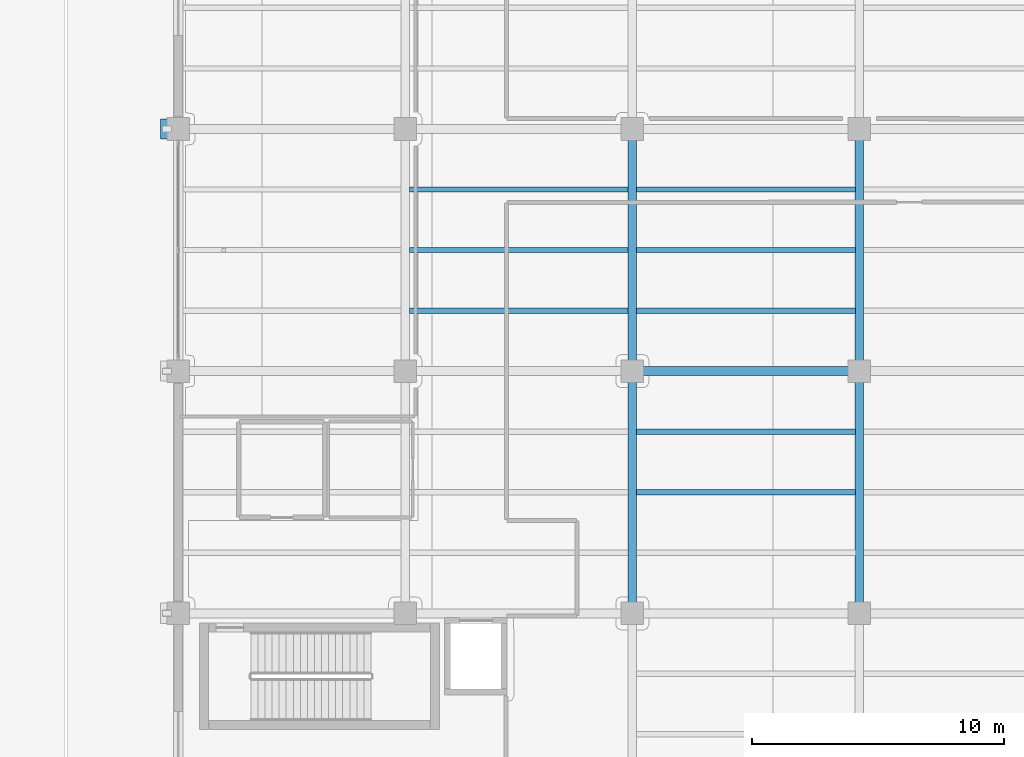
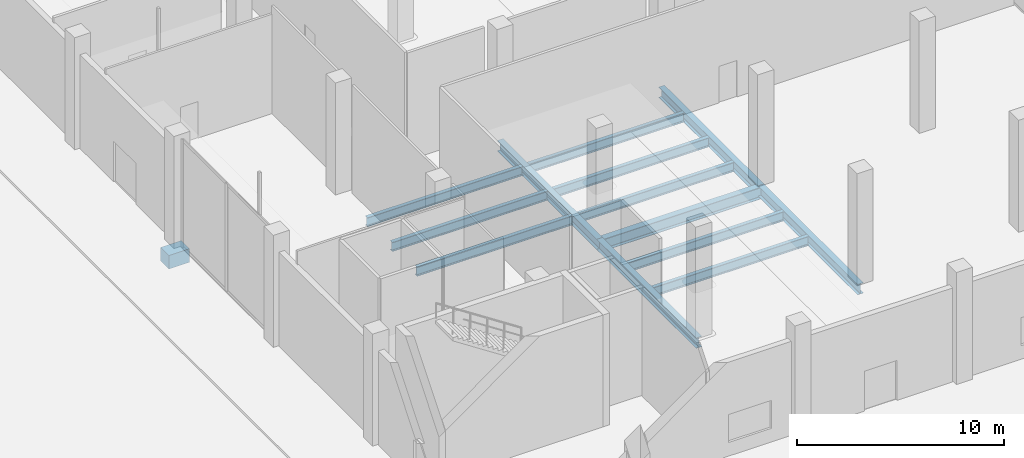
# One storey, part 6 of 45: 14 beams.
"""IFC4 building model written with IfcOpenShell, lengths in metres."""

from ifc_helpers import new_model, si_unit, direction, frame, origin, origin_2d, place, context, subcontext, project, spatial, rectangle, i_section, extrude, material, material_profile, profile_set, type_object, element, save


model = new_model("IFC4")

# Units and contexts
model_context = context("Model", 3, precision=1e-05, world=origin(), true_north=direction((0.0, 1.0)))
body_context = subcontext(model_context, "Body", "Model", "MODEL_VIEW")
ifc_project = project(units=[si_unit("LENGTHUNIT", "METRE"), si_unit("AREAUNIT", "SQUARE_METRE"), si_unit("VOLUMEUNIT", "CUBIC_METRE"), si_unit("PLANEANGLEUNIT", "RADIAN"), si_unit("MASSUNIT", "GRAM", prefix="KILO")], contexts=[model_context])

# Site, building, storey
site_placement = place(None, origin())
site = spatial("IfcSite", under=ifc_project, at=site_placement, CompositionType="ELEMENT")
building_placement = place(site_placement, origin())
building = spatial("IfcBuilding", under=site, at=building_placement, Name="Qorvath Tower", CompositionType="ELEMENT")
storey_placement = place(building_placement, origin())
storey = spatial("IfcBuildingStorey", under=building, at=storey_placement, Name="L00", CompositionType="ELEMENT", Elevation=0.0)

# Beams
ifc_material_1 = material(Name="Concrete C50/60", Category="concrete")
ifc_material_profile_1 = material_profile(ifc_material_1, rectangle(XDim=0.800048828125, YDim=0.800048828125, at=origin_2d()), Name="RC 800x800")
ifc_profile_set_1 = profile_set([ifc_material_profile_1], Name="Concrete C50/60")
beam_type_1 = type_object("IfcBeamType", Name="BM-CRB1", PredefinedType="BEAM", material=ifc_profile_set_1)
beam_1_placement = place(storey_placement, frame((32.85009765625, -9.60009765625, -0.75), z_axis=(-1.0, 0.0, 0.0), x_axis=(0.0, -1.0, 0.0)))
element("IfcBeam", 1, at=beam_1_placement, inside=storey, type_object=beam_type_1, Name="MJ-1 RC Bearing Corbel Bracket 04", PredefinedType="BEAM", context=body_context, shape_type="SweptSolid", body=[
    extrude(rectangle(XDim=0.800048828125, YDim=0.800048828125, at=origin_2d()), origin(), (0.0, 0.0, 1.0), 1.150146484375),
])
ifc_material_2 = material(Name="Steel ASTM A992 Grade 50", Category="steel")
ifc_material_profile_2 = material_profile(ifc_material_2, i_section(OverallWidth=0.35595703125, OverallDepth=0.696044921875, WebThickness=0.015380859375, FlangeThickness=0.02490234375, FilletRadius=0.01806640625, at=origin_2d()), Name="W27x146")
ifc_profile_set_2 = profile_set([ifc_material_profile_2], Name="Steel ASTM A992 Grade 50")
beam_type_2 = type_object("IfcBeamType", Name="BM-FG4", PredefinedType="BEAM", material=ifc_profile_set_2)
beam_2_placement = place(storey_placement, frame((50.39990234375, -19.199951171875, -0.64794921875), z_axis=(1.0, 0.0, 0.0), x_axis=(0.0, 1.0, 0.0)))
element("IfcBeam", 2, at=beam_2_placement, inside=storey, type_object=beam_type_2, Name="Library E-W Girder L00-3-3", PredefinedType="BEAM", context=body_context, shape_type="SweptSolid", body=[
    extrude(i_section(OverallWidth=0.35595703125, OverallDepth=0.696044921875, WebThickness=0.015380859375, FlangeThickness=0.02490234375, FilletRadius=0.01806640625, at=origin_2d()), origin(), (0.0, 0.0, 1.0), 9.0),
])
ifc_material_3 = material(Name="Steel ASTM A992 Grade 50", Category="steel")
ifc_material_profile_3 = material_profile(ifc_material_3, i_section(OverallWidth=0.324951171875, OverallDepth=0.615966796875, WebThickness=0.013916015625, FlangeThickness=0.021484375, FilletRadius=0.01611328125, at=origin_2d()), Name="W24x117")
ifc_profile_set_3 = profile_set([ifc_material_profile_3], Name="Steel ASTM A992 Grade 50")
beam_type_3 = type_object("IfcBeamType", Name="BM-FG5", PredefinedType="BEAM", material=ifc_profile_set_3)
beam_3_placement = place(storey_placement, frame((50.39990234375, -28.800048828125, -0.60791015625), z_axis=(0.0, 1.0, 0.0), x_axis=(-1.0, 0.0, 0.0)))
element("IfcBeam", 3, at=beam_3_placement, inside=storey, type_object=beam_type_3, Name="Library N-S Girder L00-3-2", PredefinedType="BEAM", context=body_context, shape_type="SweptSolid", body=[
    extrude(i_section(OverallWidth=0.324951171875, OverallDepth=0.615966796875, WebThickness=0.013916015625, FlangeThickness=0.021484375, FilletRadius=0.01611328125, at=origin_2d()), origin(), (0.0, 0.0, 1.0), 9.60009765625),
])
beam_4_placement = place(storey_placement, frame((50.39990234375, -19.199951171875, -0.60791015625), z_axis=(0.0, 1.0, 0.0), x_axis=(-1.0, 0.0, 0.0)))
element("IfcBeam", 4, at=beam_4_placement, inside=storey, type_object=beam_type_3, Name="Library N-S Girder L00-3-3", PredefinedType="BEAM", context=body_context, shape_type="SweptSolid", body=[
    extrude(i_section(OverallWidth=0.324951171875, OverallDepth=0.615966796875, WebThickness=0.013916015625, FlangeThickness=0.021484375, FilletRadius=0.01611328125, at=origin_2d()), origin(), (0.0, 0.0, 1.0), 9.599853515625),
])
beam_5_placement = place(storey_placement, frame((59.39990234375, -28.800048828125, -0.60791015625), z_axis=(0.0, 1.0, 0.0), x_axis=(-1.0, 0.0, 0.0)))
element("IfcBeam", 5, at=beam_5_placement, inside=storey, type_object=beam_type_3, Name="Library N-S Girder L00-4-2", PredefinedType="BEAM", context=body_context, shape_type="SweptSolid", body=[
    extrude(i_section(OverallWidth=0.324951171875, OverallDepth=0.615966796875, WebThickness=0.013916015625, FlangeThickness=0.021484375, FilletRadius=0.01611328125, at=origin_2d()), origin(), (0.0, 0.0, 1.0), 9.60009765625),
])
beam_6_placement = place(storey_placement, frame((59.39990234375, -19.199951171875, -0.60791015625), z_axis=(0.0, 1.0, 0.0), x_axis=(-1.0, 0.0, 0.0)))
element("IfcBeam", 6, at=beam_6_placement, inside=storey, type_object=beam_type_3, Name="Library N-S Girder L00-4-3", PredefinedType="BEAM", context=body_context, shape_type="SweptSolid", body=[
    extrude(i_section(OverallWidth=0.324951171875, OverallDepth=0.615966796875, WebThickness=0.013916015625, FlangeThickness=0.021484375, FilletRadius=0.01611328125, at=origin_2d()), origin(), (0.0, 0.0, 1.0), 9.599853515625),
])
ifc_material_4 = material(Name="Steel ASTM A992 Grade 50", Category="steel")
ifc_material_profile_4 = material_profile(ifc_material_4, i_section(OverallWidth=0.2119140625, OverallDepth=0.5439453125, WebThickness=0.01318359375, FlangeThickness=0.021240234375, FilletRadius=0.013916015625, at=origin_2d()), Name="W21x83")
ifc_profile_set_4 = profile_set([ifc_material_profile_4], Name="Steel ASTM A992 Grade 50")
beam_type_4 = type_object("IfcBeamType", Name="BM-FJ1", PredefinedType="JOIST", material=ifc_profile_set_4)
for number, where, z_axis, x_axis, name in (
    (7, (50.560546875, -24.0, -0.572021484375), (1.0, 0.0, 0.0), (0.0, 1.0, 0.0), "Library Stack Joist L00-2.2-3"),
    (8, (50.560546875, -21.60009765625, -0.572021484375), (1.0, 0.0, 0.0), (0.0, 1.0, 0.0), "Library Stack Joist L00-2.3-3"),
    (9, (41.560546875, -16.800048828125, -0.572021484375), (1.0, 0.0, 0.0), (0.0, 1.0, 0.0), "Library Stack Joist L00-3.1-2"),
    (10, (50.560546875, -16.800048828125, -0.572021484375), (1.0, 0.0, 0.0), (0.0, 1.0, 0.0), "Library Stack Joist L00-3.1-3"),
    (11, (41.560546875, -14.39990234375, -0.572021484375), (1.0, 0.0, 0.0), (0.0, 1.0, 0.0), "Library Stack Joist L00-3.2-2"),
    (12, (50.560546875, -14.39990234375, -0.572021484375), (1.0, 0.0, 0.0), (0.0, 1.0, 0.0), "Library Stack Joist L00-3.2-3"),
    (13, (41.560546875, -12.0, -0.572021484375), (1.0, 0.0, 0.0), (0.0, 1.0, 0.0), "Library Stack Joist L00-3.3-2"),
    (14, (50.560546875, -12.0, -0.572021484375), (1.0, 0.0, 0.0), (0.0, 1.0, 0.0), "Library Stack Joist L00-3.3-3"),
):
    element("IfcBeam", number, at=place(storey_placement, frame(where, z_axis=z_axis, x_axis=x_axis)), inside=storey, type_object=beam_type_4, Name=name, PredefinedType="JOIST", context=body_context, shape_type="SweptSolid", body=[
        extrude(i_section(OverallWidth=0.2119140625, OverallDepth=0.5439453125, WebThickness=0.01318359375, FlangeThickness=0.021240234375, FilletRadius=0.013916015625, at=origin_2d()), origin(), (0.0, 0.0, 1.0), 8.678955078125),
    ])

save(model, "model.ifc")
